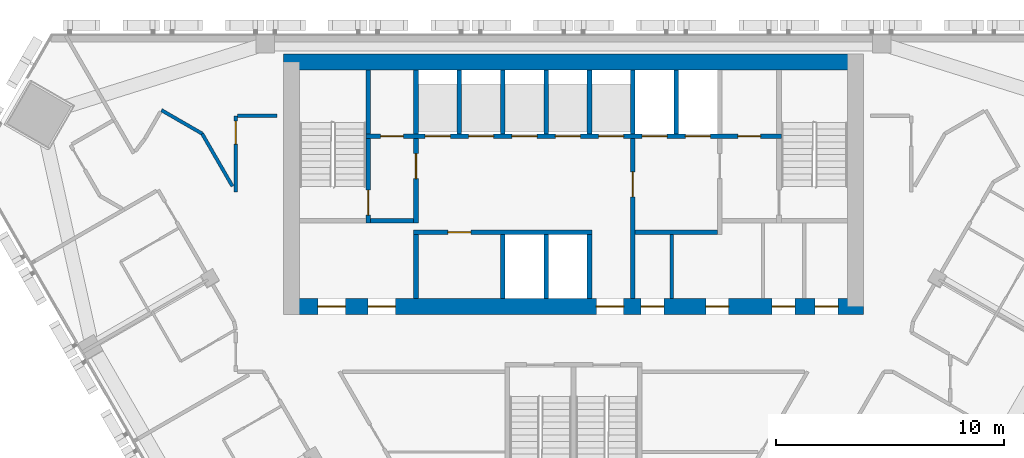
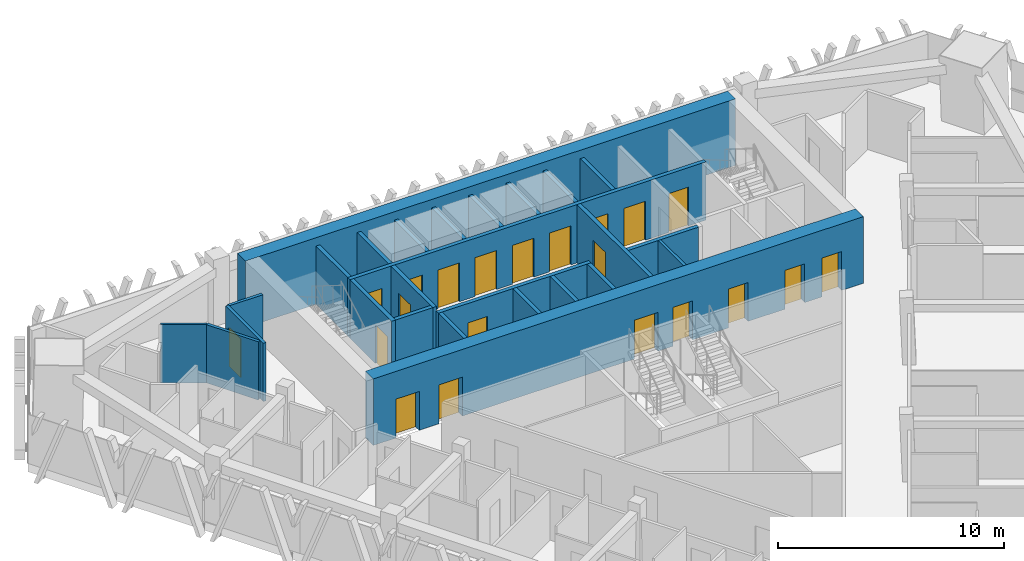
# One storey, part 11 of 16: 26 walls, 21 doors, 21 openings.
"""IFC4 building model written with IfcOpenShell, lengths in metres."""

from ifc_helpers import new_model, si_unit, direction, frame, frame_2d, origin, place, context, subcontext, project, spatial, rectangle, extrude, material, layer, layer_set, type_object, element, fill, save


model = new_model("IFC4")

# Units and contexts
model_context = context("Model", 3, precision=1e-05, world=origin(), true_north=direction((0.0, 1.0)))
body_context = subcontext(model_context, "Body", "Model", "MODEL_VIEW")
ifc_project = project(units=[si_unit("LENGTHUNIT", "METRE"), si_unit("AREAUNIT", "SQUARE_METRE"), si_unit("VOLUMEUNIT", "CUBIC_METRE"), si_unit("PLANEANGLEUNIT", "RADIAN"), si_unit("MASSUNIT", "GRAM", prefix="KILO")], contexts=[model_context])

# Site, building, storey
site_placement = place(None, origin())
site = spatial("IfcSite", under=ifc_project, at=site_placement, CompositionType="ELEMENT")
building_placement = place(site_placement, origin())
building = spatial("IfcBuilding", under=site, at=building_placement, Name="Altiplano Prism Tower", CompositionType="ELEMENT")
storey_placement = place(building_placement, frame((0.0, 0.0, 178.199951171875)))
storey = spatial("IfcBuildingStorey", under=building, at=storey_placement, Name="L46", CompositionType="ELEMENT", Elevation=178.199951171875)

# Wall, openings, doors
ifc_material_1 = material(Name="Concrete C60/75", Category="concrete")
ifc_layer_1 = layer(ifc_material_1, 0.699951171875)
ifc_layer_set_1 = layer_set([ifc_layer_1], Name="Concrete C60/75")
wall_type_1 = type_object("IfcWallType", Name="Core wall 700", PredefinedType="SHEAR", material=ifc_layer_set_1)
wall_1_placement = place(storey_placement, frame((72.64990234375, 93.050048828125, 0.0), z_axis=(0.0, 0.0, 1.0), x_axis=(1.0, 0.0, 0.0)))
wall_1 = element("IfcWall", 1, at=wall_1_placement, inside=storey, type_object=wall_type_1, Name="Core wall S L46", PredefinedType="SHEAR", context=body_context, shape_type="SweptSolid", body=[
    extrude(rectangle(XDim=25.050048828125, YDim=0.699951171875, at=frame_2d((12.52490234375, 0.0))), origin(), (0.0, 0.0, 1.0), 3.60009765625),
])
opening_1_placement = place(wall_1_placement, frame((1.14990234375, 0.0, 0.0)))
opening_1 = element("IfcOpeningElement", 2, at=opening_1_placement, cuts=wall_1, Name="Opening D3216", PredefinedType="OPENING", context=body_context, shape_type="SweptSolid", body=[
    extrude(rectangle(XDim=1.199951171875, YDim=2.10009765625, at=frame_2d((0.60009765625, 1.050048828125))), frame((0.0, 0.3603515625, 0.0), z_axis=(0.0, -1.0, 0.0), x_axis=(1.0, 0.0, 0.0)), (0.0, 0.0, 1.0), 0.720947265625),
])
opening_2_placement = place(wall_1_placement, frame((3.35009765625, 0.0, 0.0)))
opening_2 = element("IfcOpeningElement", 3, at=opening_2_placement, cuts=wall_1, Name="Opening D3217", PredefinedType="OPENING", context=body_context, shape_type="SweptSolid", body=[
    extrude(rectangle(XDim=1.199951171875, YDim=2.10009765625, at=frame_2d((0.60009765625, 1.050048828125))), frame((0.0, 0.3603515625, 0.0), z_axis=(0.0, -1.0, 0.0), x_axis=(1.0, 0.0, 0.0)), (0.0, 0.0, 1.0), 0.720947265625),
])
opening_3_placement = place(wall_1_placement, frame((13.35009765625, 0.0, 0.0)))
opening_3 = element("IfcOpeningElement", 4, at=opening_3_placement, cuts=wall_1, Name="Opening D3218", PredefinedType="OPENING", context=body_context, shape_type="SweptSolid", body=[
    extrude(rectangle(XDim=1.199951171875, YDim=2.10009765625, at=frame_2d((0.60009765625, 1.050048828125))), frame((0.0, 0.3603515625, 0.0), z_axis=(0.0, -1.0, 0.0), x_axis=(1.0, 0.0, 0.0)), (0.0, 0.0, 1.0), 0.720947265625),
])
opening_4_placement = place(wall_1_placement, frame((15.3125, 0.0, 0.0)))
opening_4 = element("IfcOpeningElement", 5, at=opening_4_placement, cuts=wall_1, Name="Opening D3221", PredefinedType="OPENING", context=body_context, shape_type="SweptSolid", body=[
    extrude(rectangle(XDim=1.0, YDim=2.10009765625, at=frame_2d((0.5, 1.050048828125))), frame((0.0, 0.3603515625, 0.0), z_axis=(0.0, -1.0, 0.0), x_axis=(1.0, 0.0, 0.0)), (0.0, 0.0, 1.0), 0.720947265625),
])
opening_5_placement = place(wall_1_placement, frame((18.14990234375, 0.0, 0.0)))
opening_5 = element("IfcOpeningElement", 6, at=opening_5_placement, cuts=wall_1, Name="Opening D3222", PredefinedType="OPENING", context=body_context, shape_type="SweptSolid", body=[
    extrude(rectangle(XDim=1.0, YDim=2.10009765625, at=frame_2d((0.5, 1.050048828125))), frame((0.0, 0.3603515625, 0.0), z_axis=(0.0, -1.0, 0.0), x_axis=(1.0, 0.0, 0.0)), (0.0, 0.0, 1.0), 0.720947265625),
])
opening_6_placement = place(wall_1_placement, frame((21.050048828125, 0.0, 0.0)))
opening_6 = element("IfcOpeningElement", 7, at=opening_6_placement, cuts=wall_1, Name="Opening D3223", PredefinedType="OPENING", context=body_context, shape_type="SweptSolid", body=[
    extrude(rectangle(XDim=1.0, YDim=2.10009765625, at=frame_2d((0.5, 1.050048828125))), frame((0.0, 0.3603515625, 0.0), z_axis=(0.0, -1.0, 0.0), x_axis=(1.0, 0.0, 0.0)), (0.0, 0.0, 1.0), 0.720947265625),
])
opening_7_placement = place(wall_1_placement, frame((22.9375, 0.0, 0.0)))
opening_7 = element("IfcOpeningElement", 8, at=opening_7_placement, cuts=wall_1, Name="Opening D3224", PredefinedType="OPENING", context=body_context, shape_type="SweptSolid", body=[
    extrude(rectangle(XDim=1.0, YDim=2.10009765625, at=frame_2d((0.5, 1.050048828125))), frame((0.0, 0.3603515625, 0.0), z_axis=(0.0, -1.0, 0.0), x_axis=(1.0, 0.0, 0.0)), (0.0, 0.0, 1.0), 0.720947265625),
])
ifc_material_2 = material(Name="Fire-rated steel door", Category="steel")
door_type_1 = type_object("IfcDoorType", Name="Core room door 1000 x 2100", OperationType="NOTDEFINED", PredefinedType="NOTDEFINED", material=ifc_material_2)
door_1_placement = place(opening_4_placement, origin())
door_1 = element("IfcDoor", 9, at=door_1_placement, inside=storey, type_object=door_type_1, Name="Core room door D3221", OperationType="SINGLE_SWING_RIGHT", OverallHeight=2.10009765625, OverallWidth=1.0, PredefinedType="NOTDEFINED", context=body_context, shape_type="SweptSolid", body=[
    extrude(rectangle(XDim=1.0, YDim=2.10009765625, at=frame_2d((0.5, 1.050048828125))), frame((0.0, 0.02490234375, 0.0), z_axis=(0.0, -1.0, 0.0), x_axis=(1.0, 0.0, 0.0)), (0.0, 0.0, 1.0), 0.050048828125),
])
fill(opening_4, door_1)
door_2_placement = place(opening_5_placement, origin())
door_2 = element("IfcDoor", 10, at=door_2_placement, inside=storey, type_object=door_type_1, Name="Core room door D3222", OperationType="SINGLE_SWING_LEFT", OverallHeight=2.10009765625, OverallWidth=1.0, PredefinedType="NOTDEFINED", context=body_context, shape_type="SweptSolid", body=[
    extrude(rectangle(XDim=1.0, YDim=2.10009765625, at=frame_2d((0.5, 1.050048828125))), frame((0.0, 0.02490234375, 0.0), z_axis=(0.0, -1.0, 0.0), x_axis=(1.0, 0.0, 0.0)), (0.0, 0.0, 1.0), 0.050048828125),
])
fill(opening_5, door_2)
door_3_placement = place(opening_6_placement, origin())
door_3 = element("IfcDoor", 11, at=door_3_placement, inside=storey, type_object=door_type_1, Name="Core room door D3223", OperationType="SINGLE_SWING_RIGHT", OverallHeight=2.10009765625, OverallWidth=1.0, PredefinedType="NOTDEFINED", context=body_context, shape_type="SweptSolid", body=[
    extrude(rectangle(XDim=1.0, YDim=2.10009765625, at=frame_2d((0.5, 1.050048828125))), frame((0.0, 0.02490234375, 0.0), z_axis=(0.0, -1.0, 0.0), x_axis=(1.0, 0.0, 0.0)), (0.0, 0.0, 1.0), 0.050048828125),
])
fill(opening_6, door_3)
door_4_placement = place(opening_7_placement, origin())
door_4 = element("IfcDoor", 12, at=door_4_placement, inside=storey, type_object=door_type_1, Name="Core room door D3224", OperationType="SINGLE_SWING_LEFT", OverallHeight=2.10009765625, OverallWidth=1.0, PredefinedType="NOTDEFINED", context=body_context, shape_type="SweptSolid", body=[
    extrude(rectangle(XDim=1.0, YDim=2.10009765625, at=frame_2d((0.5, 1.050048828125))), frame((0.0, 0.02490234375, 0.0), z_axis=(0.0, -1.0, 0.0), x_axis=(1.0, 0.0, 0.0)), (0.0, 0.0, 1.0), 0.050048828125),
])
fill(opening_7, door_4)
door_type_2 = type_object("IfcDoorType", Name="Lobby fire door 1200 x 2100", OperationType="NOTDEFINED", PredefinedType="NOTDEFINED", material=ifc_material_2)
door_5_placement = place(opening_1_placement, origin())
door_5 = element("IfcDoor", 13, at=door_5_placement, inside=storey, type_object=door_type_2, Name="Lobby fire door D3216", OperationType="SINGLE_SWING_RIGHT", OverallHeight=2.10009765625, OverallWidth=1.199951171875, PredefinedType="NOTDEFINED", context=body_context, shape_type="SweptSolid", body=[
    extrude(rectangle(XDim=1.199951171875, YDim=2.10009765625, at=frame_2d((0.60009765625, 1.050048828125))), frame((0.0, 0.02490234375, 0.0), z_axis=(0.0, -1.0, 0.0), x_axis=(1.0, 0.0, 0.0)), (0.0, 0.0, 1.0), 0.050048828125),
])
fill(opening_1, door_5)
door_6_placement = place(opening_2_placement, origin())
door_6 = element("IfcDoor", 14, at=door_6_placement, inside=storey, type_object=door_type_2, Name="Lobby fire door D3217", OperationType="SINGLE_SWING_LEFT", OverallHeight=2.10009765625, OverallWidth=1.199951171875, PredefinedType="NOTDEFINED", context=body_context, shape_type="SweptSolid", body=[
    extrude(rectangle(XDim=1.199951171875, YDim=2.10009765625, at=frame_2d((0.60009765625, 1.050048828125))), frame((0.0, 0.02490234375, 0.0), z_axis=(0.0, -1.0, 0.0), x_axis=(1.0, 0.0, 0.0)), (0.0, 0.0, 1.0), 0.050048828125),
])
fill(opening_2, door_6)
door_7_placement = place(opening_3_placement, origin())
door_7 = element("IfcDoor", 15, at=door_7_placement, inside=storey, type_object=door_type_2, Name="Lobby fire door D3218", OperationType="SINGLE_SWING_RIGHT", OverallHeight=2.10009765625, OverallWidth=1.199951171875, PredefinedType="NOTDEFINED", context=body_context, shape_type="SweptSolid", body=[
    extrude(rectangle(XDim=1.199951171875, YDim=2.10009765625, at=frame_2d((0.60009765625, 1.050048828125))), frame((0.0, 0.02490234375, 0.0), z_axis=(0.0, -1.0, 0.0), x_axis=(1.0, 0.0, 0.0)), (0.0, 0.0, 1.0), 0.050048828125),
])
fill(opening_3, door_7)

# Walls
wall_2_placement = place(storey_placement, frame((97.35009765625, 103.75, 0.0), z_axis=(0.0, 0.0, 1.0), x_axis=(-1.0, 0.0, 0.0)))
element("IfcWall", 16, at=wall_2_placement, inside=storey, type_object=wall_type_1, Name="Core wall N L46", PredefinedType="SHEAR", context=body_context, shape_type="SweptSolid", body=[
    extrude(rectangle(XDim=25.050048828125, YDim=0.699951171875, at=frame_2d((12.52490234375, 0.0))), origin(), (0.0, 0.0, 1.0), 3.60009765625),
])
ifc_material_3 = material(Name="Plasterboard on steel stud", Category="steel")
ifc_layer_2 = layer(ifc_material_3, 0.14990234375)
ifc_layer_set_2 = layer_set([ifc_layer_2], Name="Plasterboard on steel stud")
wall_type_2 = type_object("IfcWallType", Name="Partition 150 corridor", PredefinedType="PARTITIONING", material=ifc_layer_set_2)
wall_3_placement = place(storey_placement, frame((72.0, 101.39990234375, 0.0), z_axis=(0.0, 0.0, 1.0), x_axis=(-1.0, 0.0, 0.0)))
element("IfcWall", 17, at=wall_3_placement, inside=storey, type_object=wall_type_2, Name="Partition P06 L46 025", PredefinedType="PARTITIONING", context=body_context, shape_type="SweptSolid", body=[
    extrude(rectangle(XDim=1.72509765625, YDim=0.14990234375, at=frame_2d((0.862548828125, 0.0))), origin(), (0.0, 0.0, 1.0), 3.150146484375),
])

# Wall, opening, door
wall_4_placement = place(storey_placement, frame((70.199951171875, 101.39990234375, 0.0), z_axis=(0.0, 0.0, 1.0), x_axis=(0.0, -1.0, 0.0)))
wall_4 = element("IfcWall", 18, at=wall_4_placement, inside=storey, type_object=wall_type_2, Name="Partition P06 L46 026", PredefinedType="PARTITIONING", context=body_context, shape_type="SweptSolid", body=[
    extrude(rectangle(XDim=3.32763671875, YDim=0.14990234375, at=frame_2d((1.663818359375, 0.0))), origin(), (0.0, 0.0, 1.0), 3.150146484375),
])
opening_8_placement = place(wall_4_placement, frame((0.235107421875, 0.0, 0.0)))
opening_8 = element("IfcOpeningElement", 19, at=opening_8_placement, cuts=wall_4, Name="Opening D1646", PredefinedType="OPENING", context=body_context, shape_type="SweptSolid", body=[
    extrude(rectangle(XDim=1.0, YDim=2.10009765625, at=frame_2d((0.5, 1.050048828125))), frame((0.0, 0.08544921875, 0.0), z_axis=(0.0, -1.0, 0.0), x_axis=(1.0, 0.0, 0.0)), (0.0, 0.0, 1.0), 0.1708984375),
])
ifc_material_4 = material(Name="Timber", Category="wood")
door_type_3 = type_object("IfcDoorType", Name="Store door 1000 x 2100", OperationType="NOTDEFINED", PredefinedType="NOTDEFINED", material=ifc_material_4)
door_8_placement = place(opening_8_placement, origin())
door_8 = element("IfcDoor", 20, at=door_8_placement, inside=storey, type_object=door_type_3, Name="Door D1646", OperationType="SINGLE_SWING_LEFT", OverallHeight=2.10009765625, OverallWidth=1.0, PredefinedType="NOTDEFINED", context=body_context, shape_type="SweptSolid", body=[
    extrude(rectangle(XDim=1.0, YDim=2.10009765625, at=frame_2d((0.5, 1.050048828125))), frame((0.0, 0.02490234375, 0.0), z_axis=(0.0, -1.0, 0.0), x_axis=(1.0, 0.0, 0.0)), (0.0, 0.0, 1.0), 0.050048828125),
])
fill(opening_8, door_8)

# Walls
wall_5_placement = place(storey_placement, frame((70.06005859375, 98.314697265625, 0.0), z_axis=(0.0, 0.0, 1.0), x_axis=(-0.500010524421, 0.866019327422, 0.0)))
element("IfcWall", 21, at=wall_5_placement, inside=storey, type_object=wall_type_2, Name="Partition P06 L46 027", PredefinedType="PARTITIONING", context=body_context, shape_type="SweptSolid", body=[
    extrude(rectangle(XDim=2.66552734375, YDim=0.14990234375, at=frame_2d((1.332763671875, 0.0))), origin(), (0.0, 0.0, 1.0), 3.150146484375),
])
wall_6_placement = place(storey_placement, frame((68.727294921875, 100.623046875, 0.0), z_axis=(0.0, 0.0, 1.0), x_axis=(-0.866027366358, 0.499996600708, 0.0)))
element("IfcWall", 22, at=wall_6_placement, inside=storey, type_object=wall_type_2, Name="Partition P06 L46 028", PredefinedType="PARTITIONING", context=body_context, shape_type="SweptSolid", body=[
    extrude(rectangle(XDim=2.0556640625, YDim=0.14990234375, at=frame_2d((1.02783203125, 0.0))), origin(), (0.0, 0.0, 1.0), 3.150146484375),
])
ifc_material_5 = material(Name="Fire-rated gypsum board partition")
ifc_layer_3 = layer(ifc_material_5, 0.14990234375)
ifc_layer_set_3 = layer_set([ifc_layer_3], Name="Fire-rated gypsum board partition")
wall_type_3 = type_object("IfcWallType", Name="Room partition 150", PredefinedType="PARTITIONING", material=ifc_layer_set_3)
wall_7_placement = place(storey_placement, frame((89.300048828125, 93.39990234375, 0.0), z_axis=(0.0, 0.0, 1.0), x_axis=(0.0, 1.0, 0.0)))
element("IfcWall", 23, at=wall_7_placement, inside=storey, type_object=wall_type_3, Name="Room partition L46", PredefinedType="PARTITIONING", context=body_context, shape_type="SweptSolid", body=[
    extrude(rectangle(XDim=2.800048828125, YDim=0.14990234375, at=frame_2d((1.39990234375, 0.0))), origin(), (0.0, 0.0, 1.0), 3.150146484375),
])
ifc_layer_4 = layer(ifc_material_1, 0.199951171875)
ifc_layer_set_4 = layer_set([ifc_layer_4], Name="Concrete C60/75")
wall_type_4 = type_object("IfcWallType", Name="Shaft wall 200", PredefinedType="SOLIDWALL", material=ifc_layer_set_4)
for number, where, z_axis, x_axis, name in (
    (24, (81.89990234375, 93.39990234375, 0.0), (0.0, 0.0, 1.0), (0.0, 1.0, 0.0), "Shaft wall L46"),
    (25, (83.800048828125, 93.39990234375, 0.0), (0.0, 0.0, 1.0), (0.0, 1.0, 0.0), "Shaft wall L46"),
    (26, (85.699951171875, 93.39990234375, 0.0), (0.0, 0.0, 1.0), (0.0, 1.0, 0.0), "Shaft wall L46"),
):
    element("IfcWall", number, at=place(storey_placement, frame(where, z_axis=z_axis, x_axis=x_axis)), inside=storey, type_object=wall_type_4, Name=name, PredefinedType="SOLIDWALL", context=body_context, shape_type="SweptSolid", body=[
        extrude(rectangle(XDim=2.800048828125, YDim=0.199951171875, at=frame_2d((1.39990234375, 0.0))), origin(), (0.0, 0.0, 1.0), 3.150146484375),
    ])

# Wall, opening, door
wall_8_placement = place(storey_placement, frame((78.0, 96.300048828125, 0.0), z_axis=(0.0, 0.0, 1.0), x_axis=(1.0, 0.0, 0.0)))
wall_8 = element("IfcWall", 27, at=wall_8_placement, inside=storey, type_object=wall_type_4, Name="Shaft wall L46", PredefinedType="SOLIDWALL", context=body_context, shape_type="SweptSolid", body=[
    extrude(rectangle(XDim=7.800048828125, YDim=0.199951171875, at=frame_2d((3.89990234375, 0.0))), origin(), (0.0, 0.0, 1.0), 3.150146484375),
])
opening_9_placement = place(wall_8_placement, frame((1.5, 0.0, 0.0)))
opening_9 = element("IfcOpeningElement", 28, at=opening_9_placement, cuts=wall_8, Name="Opening D3225", PredefinedType="OPENING", context=body_context, shape_type="SweptSolid", body=[
    extrude(rectangle(XDim=1.0, YDim=2.10009765625, at=frame_2d((0.5, 1.050048828125))), frame((0.0, 0.1103515625, 0.0), z_axis=(0.0, -1.0, 0.0), x_axis=(1.0, 0.0, 0.0)), (0.0, 0.0, 1.0), 0.220947265625),
])
door_9_placement = place(opening_9_placement, origin())
door_9 = element("IfcDoor", 29, at=door_9_placement, inside=storey, type_object=door_type_1, Name="Core room door D3225", OperationType="SINGLE_SWING_RIGHT", OverallHeight=2.10009765625, OverallWidth=1.0, PredefinedType="NOTDEFINED", context=body_context, shape_type="SweptSolid", body=[
    extrude(rectangle(XDim=1.0, YDim=2.10009765625, at=frame_2d((0.5, 1.050048828125))), frame((0.0, 0.02490234375, 0.0), z_axis=(0.0, -1.0, 0.0), x_axis=(1.0, 0.0, 0.0)), (0.0, 0.0, 1.0), 0.050048828125),
])
fill(opening_9, door_9)

# Walls
for number, where, z_axis, x_axis, name in (
    (30, (78.10009765625, 100.60009765625, 0.0), (0.0, 0.0, 1.0), (0.0, 1.0, 0.0), "Shaft wall L46"),
    (31, (80.0, 100.60009765625, 0.0), (0.0, 0.0, 1.0), (0.0, 1.0, 0.0), "Shaft wall L46"),
    (32, (81.89990234375, 100.60009765625, 0.0), (0.0, 0.0, 1.0), (0.0, 1.0, 0.0), "Shaft wall L46"),
    (33, (83.800048828125, 100.60009765625, 0.0), (0.0, 0.0, 1.0), (0.0, 1.0, 0.0), "Shaft wall L46"),
    (34, (85.699951171875, 100.60009765625, 0.0), (0.0, 0.0, 1.0), (0.0, 1.0, 0.0), "Shaft wall L46"),
    (35, (87.60009765625, 100.60009765625, 0.0), (0.0, 0.0, 1.0), (0.0, 1.0, 0.0), "Shaft wall L46"),
    (36, (89.5, 100.60009765625, 0.0), (0.0, 0.0, 1.0), (0.0, 1.0, 0.0), "Shaft wall L46"),
):
    element("IfcWall", number, at=place(storey_placement, frame(where, z_axis=z_axis, x_axis=x_axis)), inside=storey, type_object=wall_type_4, Name=name, PredefinedType="SOLIDWALL", context=body_context, shape_type="SweptSolid", body=[
        extrude(rectangle(XDim=2.7998046875, YDim=0.199951171875, at=frame_2d((1.39990234375, 0.0))), origin(), (0.0, 0.0, 1.0), 3.150146484375),
    ])

# Wall, opening, door
ifc_layer_5 = layer(ifc_material_1, 0.199951171875)
ifc_layer_set_5 = layer_set([ifc_layer_5], Name="Concrete C60/75")
wall_type_5 = type_object("IfcWallType", Name="Stair wall 200", PredefinedType="SOLIDWALL", material=ifc_layer_set_5)
wall_9_placement = place(storey_placement, frame((76.0, 96.699951171875, 0.0), z_axis=(0.0, 0.0, 1.0), x_axis=(0.0, 1.0, 0.0)))
wall_9 = element("IfcWall", 37, at=wall_9_placement, inside=storey, type_object=wall_type_5, Name="Stair wall L46", PredefinedType="SOLIDWALL", context=body_context, shape_type="SweptSolid", body=[
    extrude(rectangle(XDim=3.699951171875, YDim=0.199951171875, at=frame_2d((1.85009765625, 0.0))), origin(), (0.0, 0.0, 1.0), 3.150146484375),
])
opening_10_placement = place(wall_9_placement, frame((0.35009765625, 0.0, 0.0)))
opening_10 = element("IfcOpeningElement", 38, at=opening_10_placement, cuts=wall_9, Name="Opening D3211", PredefinedType="OPENING", context=body_context, shape_type="SweptSolid", body=[
    extrude(rectangle(XDim=1.10009765625, YDim=2.10009765625, at=frame_2d((0.550048828125, 1.050048828125))), frame((0.0, 0.1103515625, 0.0), z_axis=(0.0, -1.0, 0.0), x_axis=(1.0, 0.0, 0.0)), (0.0, 0.0, 1.0), 0.220947265625),
])
door_type_4 = type_object("IfcDoorType", Name="Stair fire door 1100 x 2100", OperationType="NOTDEFINED", PredefinedType="NOTDEFINED", material=ifc_material_2)
door_10_placement = place(opening_10_placement, origin())
door_10 = element("IfcDoor", 39, at=door_10_placement, inside=storey, type_object=door_type_4, Name="Stair fire door D3211", OperationType="SINGLE_SWING_RIGHT", OverallHeight=2.10009765625, OverallWidth=1.10009765625, PredefinedType="NOTDEFINED", context=body_context, shape_type="SweptSolid", body=[
    extrude(rectangle(XDim=1.10009765625, YDim=2.10009765625, at=frame_2d((0.550048828125, 1.050048828125))), frame((0.0, 0.02490234375, 0.0), z_axis=(0.0, -1.0, 0.0), x_axis=(1.0, 0.0, 0.0)), (0.0, 0.0, 1.0), 0.050048828125),
])
fill(opening_10, door_10)

# Wall, openings, doors
wall_10_placement = place(storey_placement, frame((75.89990234375, 100.5, 0.0), z_axis=(0.0, 0.0, 1.0), x_axis=(1.0, 0.0, 0.0)))
wall_10 = element("IfcWall", 40, at=wall_10_placement, inside=storey, type_object=wall_type_5, Name="Stair wall L46", PredefinedType="SOLIDWALL", context=body_context, shape_type="SweptSolid", body=[
    extrude(rectangle(XDim=18.2001953125, YDim=0.199951171875, at=frame_2d((9.10009765625, 0.0))), origin(), (0.0, 0.0, 1.0), 3.150146484375),
])
opening_11_placement = place(wall_10_placement, frame((2.60009765625, 0.0, 0.0)))
opening_11 = element("IfcOpeningElement", 41, at=opening_11_placement, cuts=wall_10, Name="Opening LD-ML1-L46", PredefinedType="OPENING", context=body_context, shape_type="SweptSolid", body=[
    extrude(rectangle(XDim=1.10009765625, YDim=2.10009765625, at=frame_2d((0.550048828125, 1.050048828125))), frame((0.0, 0.1103515625, 0.0), z_axis=(0.0, -1.0, 0.0), x_axis=(1.0, 0.0, 0.0)), (0.0, 0.0, 1.0), 0.220947265625),
])
opening_12_placement = place(wall_10_placement, frame((4.5, 0.0, 0.0)))
opening_12 = element("IfcOpeningElement", 42, at=opening_12_placement, cuts=wall_10, Name="Opening LD-ML2-L46", PredefinedType="OPENING", context=body_context, shape_type="SweptSolid", body=[
    extrude(rectangle(XDim=1.10009765625, YDim=2.10009765625, at=frame_2d((0.550048828125, 1.050048828125))), frame((0.0, 0.1103515625, 0.0), z_axis=(0.0, -1.0, 0.0), x_axis=(1.0, 0.0, 0.0)), (0.0, 0.0, 1.0), 0.220947265625),
])
opening_13_placement = place(wall_10_placement, frame((6.39990234375, 0.0, 0.0)))
opening_13 = element("IfcOpeningElement", 43, at=opening_13_placement, cuts=wall_10, Name="Opening LD-ML3-L46", PredefinedType="OPENING", context=body_context, shape_type="SweptSolid", body=[
    extrude(rectangle(XDim=1.10009765625, YDim=2.10009765625, at=frame_2d((0.550048828125, 1.050048828125))), frame((0.0, 0.1103515625, 0.0), z_axis=(0.0, -1.0, 0.0), x_axis=(1.0, 0.0, 0.0)), (0.0, 0.0, 1.0), 0.220947265625),
])
opening_14_placement = place(wall_10_placement, frame((8.300048828125, 0.0, 0.0)))
opening_14 = element("IfcOpeningElement", 44, at=opening_14_placement, cuts=wall_10, Name="Opening LD-ML4-L46", PredefinedType="OPENING", context=body_context, shape_type="SweptSolid", body=[
    extrude(rectangle(XDim=1.10009765625, YDim=2.10009765625, at=frame_2d((0.550048828125, 1.050048828125))), frame((0.0, 0.1103515625, 0.0), z_axis=(0.0, -1.0, 0.0), x_axis=(1.0, 0.0, 0.0)), (0.0, 0.0, 1.0), 0.220947265625),
])
opening_15_placement = place(wall_10_placement, frame((10.199951171875, 0.0, 0.0)))
opening_15 = element("IfcOpeningElement", 45, at=opening_15_placement, cuts=wall_10, Name="Opening LD-ML5-L46", PredefinedType="OPENING", context=body_context, shape_type="SweptSolid", body=[
    extrude(rectangle(XDim=1.10009765625, YDim=2.10009765625, at=frame_2d((0.550048828125, 1.050048828125))), frame((0.0, 0.1103515625, 0.0), z_axis=(0.0, -1.0, 0.0), x_axis=(1.0, 0.0, 0.0)), (0.0, 0.0, 1.0), 0.220947265625),
])
opening_16_placement = place(wall_10_placement, frame((12.10009765625, 0.0, 0.0)))
opening_16 = element("IfcOpeningElement", 46, at=opening_16_placement, cuts=wall_10, Name="Opening LD-FF1-L46", PredefinedType="OPENING", context=body_context, shape_type="SweptSolid", body=[
    extrude(rectangle(XDim=1.10009765625, YDim=2.10009765625, at=frame_2d((0.550048828125, 1.050048828125))), frame((0.0, 0.1103515625, 0.0), z_axis=(0.0, -1.0, 0.0), x_axis=(1.0, 0.0, 0.0)), (0.0, 0.0, 1.0), 0.220947265625),
])
opening_17_placement = place(wall_10_placement, frame((14.0, 0.0, 0.0)))
opening_17 = element("IfcOpeningElement", 47, at=opening_17_placement, cuts=wall_10, Name="Opening LD-FF2-L46", PredefinedType="OPENING", context=body_context, shape_type="SweptSolid", body=[
    extrude(rectangle(XDim=1.10009765625, YDim=2.10009765625, at=frame_2d((0.550048828125, 1.050048828125))), frame((0.0, 0.1103515625, 0.0), z_axis=(0.0, -1.0, 0.0), x_axis=(1.0, 0.0, 0.0)), (0.0, 0.0, 1.0), 0.220947265625),
])
opening_18_placement = place(wall_10_placement, frame((0.64990234375, 0.0, 0.0)))
opening_18 = element("IfcOpeningElement", 48, at=opening_18_placement, cuts=wall_10, Name="Opening D3219", PredefinedType="OPENING", context=body_context, shape_type="SweptSolid", body=[
    extrude(rectangle(XDim=1.0, YDim=2.10009765625, at=frame_2d((0.5, 1.050048828125))), frame((0.0, 0.1103515625, 0.0), z_axis=(0.0, -1.0, 0.0), x_axis=(1.0, 0.0, 0.0)), (0.0, 0.0, 1.0), 0.220947265625),
])
opening_19_placement = place(wall_10_placement, frame((16.300048828125, 0.0, 0.0)))
opening_19 = element("IfcOpeningElement", 49, at=opening_19_placement, cuts=wall_10, Name="Opening D3220", PredefinedType="OPENING", context=body_context, shape_type="SweptSolid", body=[
    extrude(rectangle(XDim=1.0, YDim=2.10009765625, at=frame_2d((0.5, 1.050048828125))), frame((0.0, 0.1103515625, 0.0), z_axis=(0.0, -1.0, 0.0), x_axis=(1.0, 0.0, 0.0)), (0.0, 0.0, 1.0), 0.220947265625),
])
door_11_placement = place(opening_18_placement, origin())
door_11 = element("IfcDoor", 50, at=door_11_placement, inside=storey, type_object=door_type_1, Name="Core room door D3219", OperationType="SINGLE_SWING_LEFT", OverallHeight=2.10009765625, OverallWidth=1.0, PredefinedType="NOTDEFINED", context=body_context, shape_type="SweptSolid", body=[
    extrude(rectangle(XDim=1.0, YDim=2.10009765625, at=frame_2d((0.5, 1.050048828125))), frame((0.0, 0.02490234375, 0.0), z_axis=(0.0, -1.0, 0.0), x_axis=(1.0, 0.0, 0.0)), (0.0, 0.0, 1.0), 0.050048828125),
])
fill(opening_18, door_11)
door_12_placement = place(opening_19_placement, origin())
door_12 = element("IfcDoor", 51, at=door_12_placement, inside=storey, type_object=door_type_1, Name="Core room door D3220", OperationType="SINGLE_SWING_RIGHT", OverallHeight=2.10009765625, OverallWidth=1.0, PredefinedType="NOTDEFINED", context=body_context, shape_type="SweptSolid", body=[
    extrude(rectangle(XDim=1.0, YDim=2.10009765625, at=frame_2d((0.5, 1.050048828125))), frame((0.0, 0.02490234375, 0.0), z_axis=(0.0, -1.0, 0.0), x_axis=(1.0, 0.0, 0.0)), (0.0, 0.0, 1.0), 0.050048828125),
])
fill(opening_19, door_12)
ifc_material_6 = material(Name="Stainless steel landing door", Category="steel")
door_type_5 = type_object("IfcDoorType", Name="Landing door 1100 x 2100", OperationType="NOTDEFINED", PredefinedType="NOTDEFINED", material=ifc_material_6)
door_13_placement = place(opening_11_placement, origin())
door_13 = element("IfcDoor", 52, at=door_13_placement, inside=storey, type_object=door_type_5, Name="Landing doors ML1", OperationType="SLIDING_TO_RIGHT", OverallHeight=2.10009765625, OverallWidth=1.10009765625, PredefinedType="NOTDEFINED", context=body_context, shape_type="SweptSolid", body=[
    extrude(rectangle(XDim=1.10009765625, YDim=2.10009765625, at=frame_2d((0.550048828125, 1.050048828125))), frame((0.0, 0.02490234375, 0.0), z_axis=(0.0, -1.0, 0.0), x_axis=(1.0, 0.0, 0.0)), (0.0, 0.0, 1.0), 0.050048828125),
])
fill(opening_11, door_13)
door_14_placement = place(opening_12_placement, origin())
door_14 = element("IfcDoor", 53, at=door_14_placement, inside=storey, type_object=door_type_5, Name="Landing doors ML2", OperationType="SLIDING_TO_LEFT", OverallHeight=2.10009765625, OverallWidth=1.10009765625, PredefinedType="NOTDEFINED", context=body_context, shape_type="SweptSolid", body=[
    extrude(rectangle(XDim=1.10009765625, YDim=2.10009765625, at=frame_2d((0.550048828125, 1.050048828125))), frame((0.0, 0.02490234375, 0.0), z_axis=(0.0, -1.0, 0.0), x_axis=(1.0, 0.0, 0.0)), (0.0, 0.0, 1.0), 0.050048828125),
])
fill(opening_12, door_14)
door_15_placement = place(opening_13_placement, origin())
door_15 = element("IfcDoor", 54, at=door_15_placement, inside=storey, type_object=door_type_5, Name="Landing doors ML3", OperationType="SLIDING_TO_RIGHT", OverallHeight=2.10009765625, OverallWidth=1.10009765625, PredefinedType="NOTDEFINED", context=body_context, shape_type="SweptSolid", body=[
    extrude(rectangle(XDim=1.10009765625, YDim=2.10009765625, at=frame_2d((0.550048828125, 1.050048828125))), frame((0.0, 0.02490234375, 0.0), z_axis=(0.0, -1.0, 0.0), x_axis=(1.0, 0.0, 0.0)), (0.0, 0.0, 1.0), 0.050048828125),
])
fill(opening_13, door_15)
door_16_placement = place(opening_14_placement, origin())
door_16 = element("IfcDoor", 55, at=door_16_placement, inside=storey, type_object=door_type_5, Name="Landing doors ML4", OperationType="SLIDING_TO_LEFT", OverallHeight=2.10009765625, OverallWidth=1.10009765625, PredefinedType="NOTDEFINED", context=body_context, shape_type="SweptSolid", body=[
    extrude(rectangle(XDim=1.10009765625, YDim=2.10009765625, at=frame_2d((0.550048828125, 1.050048828125))), frame((0.0, 0.02490234375, 0.0), z_axis=(0.0, -1.0, 0.0), x_axis=(1.0, 0.0, 0.0)), (0.0, 0.0, 1.0), 0.050048828125),
])
fill(opening_14, door_16)
door_17_placement = place(opening_15_placement, origin())
door_17 = element("IfcDoor", 56, at=door_17_placement, inside=storey, type_object=door_type_5, Name="Landing doors ML5", OperationType="SLIDING_TO_RIGHT", OverallHeight=2.10009765625, OverallWidth=1.10009765625, PredefinedType="NOTDEFINED", context=body_context, shape_type="SweptSolid", body=[
    extrude(rectangle(XDim=1.10009765625, YDim=2.10009765625, at=frame_2d((0.550048828125, 1.050048828125))), frame((0.0, 0.02490234375, 0.0), z_axis=(0.0, -1.0, 0.0), x_axis=(1.0, 0.0, 0.0)), (0.0, 0.0, 1.0), 0.050048828125),
])
fill(opening_15, door_17)
door_18_placement = place(opening_16_placement, origin())
door_18 = element("IfcDoor", 57, at=door_18_placement, inside=storey, type_object=door_type_5, Name="Landing doors FF1", OperationType="SLIDING_TO_RIGHT", OverallHeight=2.10009765625, OverallWidth=1.10009765625, PredefinedType="NOTDEFINED", context=body_context, shape_type="SweptSolid", body=[
    extrude(rectangle(XDim=1.10009765625, YDim=2.10009765625, at=frame_2d((0.550048828125, 1.050048828125))), frame((0.0, 0.02490234375, 0.0), z_axis=(0.0, -1.0, 0.0), x_axis=(1.0, 0.0, 0.0)), (0.0, 0.0, 1.0), 0.050048828125),
])
fill(opening_16, door_18)
door_19_placement = place(opening_17_placement, origin())
door_19 = element("IfcDoor", 58, at=door_19_placement, inside=storey, type_object=door_type_5, Name="Landing doors FF2", OperationType="SLIDING_TO_LEFT", OverallHeight=2.10009765625, OverallWidth=1.10009765625, PredefinedType="NOTDEFINED", context=body_context, shape_type="SweptSolid", body=[
    extrude(rectangle(XDim=1.10009765625, YDim=2.10009765625, at=frame_2d((0.550048828125, 1.050048828125))), frame((0.0, 0.02490234375, 0.0), z_axis=(0.0, -1.0, 0.0), x_axis=(1.0, 0.0, 0.0)), (0.0, 0.0, 1.0), 0.050048828125),
])
fill(opening_17, door_19)

# Walls
wall_11_placement = place(storey_placement, frame((76.0, 100.60009765625, 0.0), z_axis=(0.0, 0.0, 1.0), x_axis=(0.0, 1.0, 0.0)))
element("IfcWall", 59, at=wall_11_placement, inside=storey, type_object=wall_type_5, Name="Stair wall L46", PredefinedType="SOLIDWALL", context=body_context, shape_type="SweptSolid", body=[
    extrude(rectangle(XDim=2.7998046875, YDim=0.199951171875, at=frame_2d((1.39990234375, 0.0))), origin(), (0.0, 0.0, 1.0), 3.150146484375),
])
ifc_layer_6 = layer(ifc_material_1, 0.199951171875)
ifc_layer_set_6 = layer_set([ifc_layer_6], Name="Concrete C60/75")
wall_type_6 = type_object("IfcWallType", Name="Vestibule wall 200", PredefinedType="PARTITIONING", material=ifc_layer_set_6)
wall_12_placement = place(storey_placement, frame((78.10009765625, 93.39990234375, 0.0), z_axis=(0.0, 0.0, 1.0), x_axis=(0.0, 1.0, 0.0)))
element("IfcWall", 60, at=wall_12_placement, inside=storey, type_object=wall_type_6, Name="Vestibule wall L46", PredefinedType="PARTITIONING", context=body_context, shape_type="SweptSolid", body=[
    extrude(rectangle(XDim=2.800048828125, YDim=0.199951171875, at=frame_2d((1.39990234375, 0.0))), origin(), (0.0, 0.0, 1.0), 3.150146484375),
])

# Wall, opening, door
wall_13_placement = place(storey_placement, frame((87.60009765625, 93.39990234375, 0.0), z_axis=(0.0, 0.0, 1.0), x_axis=(0.0, 1.0, 0.0)))
wall_13 = element("IfcWall", 61, at=wall_13_placement, inside=storey, type_object=wall_type_6, Name="Vestibule wall L46", PredefinedType="PARTITIONING", context=body_context, shape_type="SweptSolid", body=[
    extrude(rectangle(XDim=7.0, YDim=0.199951171875, at=frame_2d((3.5, 0.0))), origin(), (0.0, 0.0, 1.0), 3.150146484375),
])
opening_20_placement = place(wall_13_placement, frame((4.449951171875, 0.0, 0.0)))
opening_20 = element("IfcOpeningElement", 62, at=opening_20_placement, cuts=wall_13, Name="Opening D3214", PredefinedType="OPENING", context=body_context, shape_type="SweptSolid", body=[
    extrude(rectangle(XDim=1.10009765625, YDim=2.10009765625, at=frame_2d((0.550048828125, 1.050048828125))), frame((0.0, 0.1103515625, 0.0), z_axis=(0.0, -1.0, 0.0), x_axis=(1.0, 0.0, 0.0)), (0.0, 0.0, 1.0), 0.220947265625),
])
door_type_6 = type_object("IfcDoorType", Name="Vestibule fire door 1100 x 2100", OperationType="NOTDEFINED", PredefinedType="NOTDEFINED", material=ifc_material_2)
door_20_placement = place(opening_20_placement, origin())
door_20 = element("IfcDoor", 63, at=door_20_placement, inside=storey, type_object=door_type_6, Name="Vestibule fire door D3214", OperationType="SINGLE_SWING_RIGHT", OverallHeight=2.10009765625, OverallWidth=1.10009765625, PredefinedType="NOTDEFINED", context=body_context, shape_type="SweptSolid", body=[
    extrude(rectangle(XDim=1.10009765625, YDim=2.10009765625, at=frame_2d((0.550048828125, 1.050048828125))), frame((0.0, 0.02490234375, 0.0), z_axis=(0.0, -1.0, 0.0), x_axis=(1.0, 0.0, 0.0)), (0.0, 0.0, 1.0), 0.050048828125),
])
fill(opening_20, door_20)

# Walls
wall_14_placement = place(storey_placement, frame((87.699951171875, 96.300048828125, 0.0), z_axis=(0.0, 0.0, 1.0), x_axis=(1.0, 0.0, 0.0)))
element("IfcWall", 64, at=wall_14_placement, inside=storey, type_object=wall_type_6, Name="Vestibule wall L46", PredefinedType="PARTITIONING", context=body_context, shape_type="SweptSolid", body=[
    extrude(rectangle(XDim=3.60009765625, YDim=0.199951171875, at=frame_2d((1.800048828125, 0.0))), origin(), (0.0, 0.0, 1.0), 3.150146484375),
])
wall_15_placement = place(storey_placement, frame((76.10009765625, 96.800048828125, 0.0), z_axis=(0.0, 0.0, 1.0), x_axis=(1.0, 0.0, 0.0)))
element("IfcWall", 65, at=wall_15_placement, inside=storey, type_object=wall_type_6, Name="Vestibule wall L46", PredefinedType="PARTITIONING", context=body_context, shape_type="SweptSolid", body=[
    extrude(rectangle(XDim=1.89990234375, YDim=0.199951171875, at=frame_2d((0.949951171875, 0.0))), origin(), (0.0, 0.0, 1.0), 3.150146484375),
])

# Wall, opening, door
wall_16_placement = place(storey_placement, frame((78.10009765625, 96.699951171875, 0.0), z_axis=(0.0, 0.0, 1.0), x_axis=(0.0, 1.0, 0.0)))
wall_16 = element("IfcWall", 66, at=wall_16_placement, inside=storey, type_object=wall_type_6, Name="Vestibule wall L46", PredefinedType="PARTITIONING", context=body_context, shape_type="SweptSolid", body=[
    extrude(rectangle(XDim=3.699951171875, YDim=0.199951171875, at=frame_2d((1.85009765625, 0.0))), origin(), (0.0, 0.0, 1.0), 3.150146484375),
])
opening_21_placement = place(wall_16_placement, frame((1.949951171875, 0.0, 0.0)))
opening_21 = element("IfcOpeningElement", 67, at=opening_21_placement, cuts=wall_16, Name="Opening D3213", PredefinedType="OPENING", context=body_context, shape_type="SweptSolid", body=[
    extrude(rectangle(XDim=1.10009765625, YDim=2.10009765625, at=frame_2d((0.550048828125, 1.050048828125))), frame((0.0, 0.1103515625, 0.0), z_axis=(0.0, -1.0, 0.0), x_axis=(1.0, 0.0, 0.0)), (0.0, 0.0, 1.0), 0.220947265625),
])
door_21_placement = place(opening_21_placement, origin())
door_21 = element("IfcDoor", 68, at=door_21_placement, inside=storey, type_object=door_type_6, Name="Vestibule fire door D3213", OperationType="SINGLE_SWING_LEFT", OverallHeight=2.10009765625, OverallWidth=1.10009765625, PredefinedType="NOTDEFINED", context=body_context, shape_type="SweptSolid", body=[
    extrude(rectangle(XDim=1.10009765625, YDim=2.10009765625, at=frame_2d((0.550048828125, 1.050048828125))), frame((0.0, 0.02490234375, 0.0), z_axis=(0.0, -1.0, 0.0), x_axis=(1.0, 0.0, 0.0)), (0.0, 0.0, 1.0), 0.050048828125),
])
fill(opening_21, door_21)

save(model, "model.ifc")
